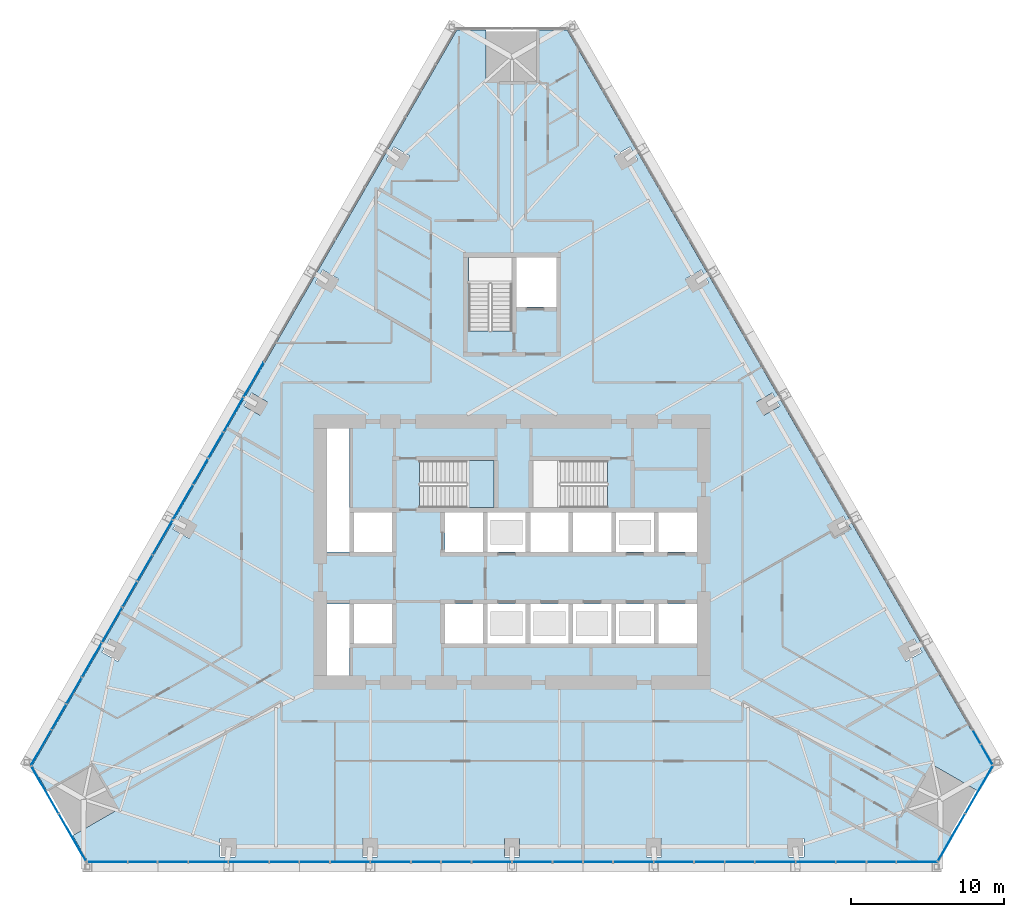
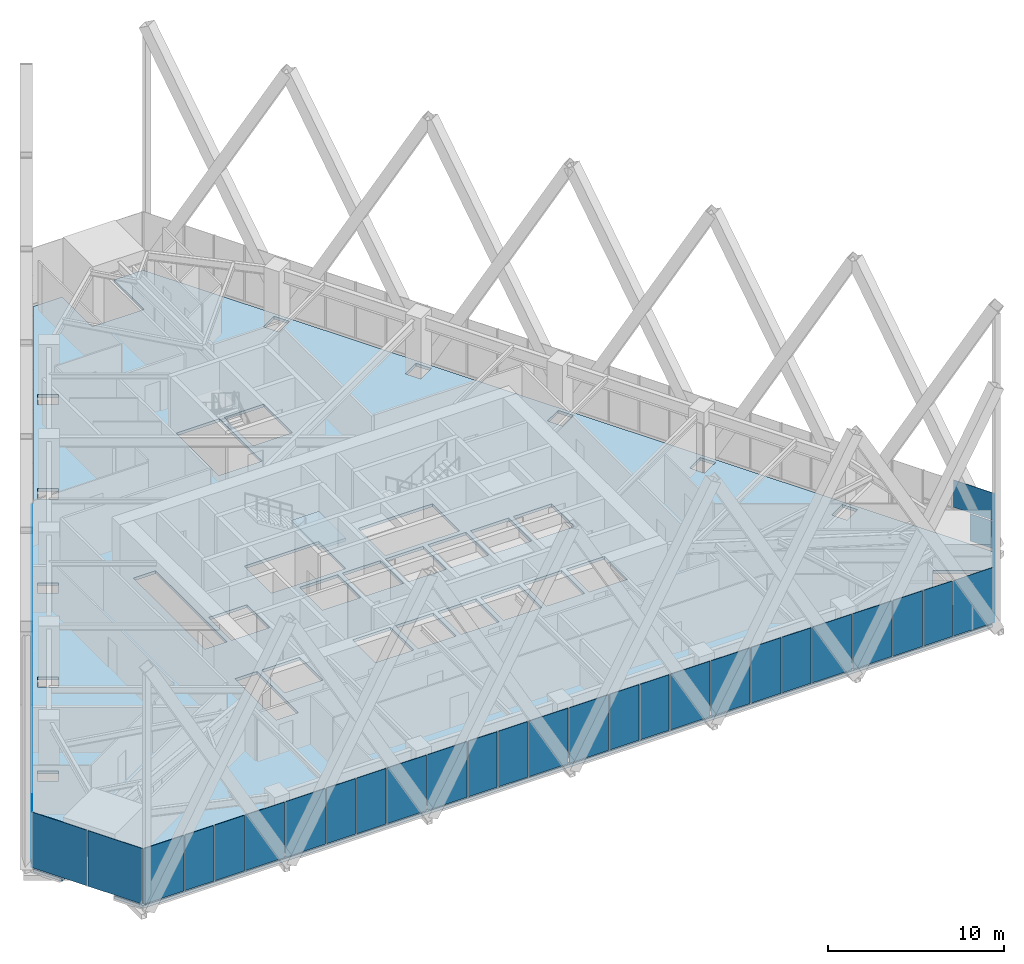
# One storey, part 11 of 19: 43 plates, 2 slabs, 6 elements without a shape of their own.
"""IFC4 building model written with IfcOpenShell, lengths in metres."""

import ifcopenshell
import ifcopenshell.guid

model = None  # the IFC model being written
_history = None  # IfcOwnerHistory: only IFC2X3 demands one
_inside = {}  # id of a spatial element -> (the spatial element, [elements in it])
_under = {}  # id of a project, library or spatial element -> (it, [spatial elements below it])
_declared = {}  # id of a project -> (the project, [libraries it declares])
_typed = {}  # id of a type object -> (the type object, [elements of that type])
_made_of = {}  # id of a material, layer set ... -> (it, [elements and type objects made of it])


def new_model(schema):
    """Start an empty IFC model of exactly this schema.

    Asked for "IFC4X3", IfcOpenShell would pick the latest addendum, in which some entities
    have other attributes; the version numbers below select the first issue.
    IFC2X3 requires an IfcOwnerHistory on every rooted entity: one is made here for all.
    """
    global model, _history
    if schema == "IFC4X3":
        model = ifcopenshell.file(schema_version=(4, 3, 0, 0))
    else:
        model = ifcopenshell.file(schema=schema)
    _inside.clear()
    _under.clear()
    _declared.clear()
    _typed.clear()
    _made_of.clear()
    _history = None
    if model.schema == "IFC2X3":
        org = make("IfcOrganization", Name="unknown")
        user = make(
            "IfcPersonAndOrganization",
            ThePerson=make("IfcPerson", FamilyName="unknown"),
            TheOrganization=org,
        )
        app = make(
            "IfcApplication",
            ApplicationDeveloper=org,
            Version="unknown",
            ApplicationFullName="unknown",
            ApplicationIdentifier="unknown",
        )
        _history = make(
            "IfcOwnerHistory",
            OwningUser=user,
            OwningApplication=app,
            ChangeAction="ADDED",
            CreationDate=0,
        )
    return model


def make(cls, **values):
    """One entity of the class cls with the attributes given. An attribute that is None is left unset."""
    return model.create_entity(
        cls, **{name: value for name, value in values.items() if value is not None}
    )


def rooted(cls, **values):
    """An entity with a GlobalId (a new one), such as an element, a storey or a relation."""
    return make(cls, GlobalId=ifcopenshell.guid.new(), OwnerHistory=_history, **values)


def si_unit(unit_type, name, prefix=None):
    """IfcSIUnit, for example si_unit("LENGTHUNIT", "METRE", prefix="MILLI")."""
    return make("IfcSIUnit", UnitType=unit_type, Prefix=prefix, Name=name)


def assignment(units):
    """IfcUnitAssignment: the units of a project."""
    return None if units is None else make("IfcUnitAssignment", Units=units)


def point(xyz):
    """IfcCartesianPoint."""
    return None if xyz is None else make("IfcCartesianPoint", Coordinates=xyz)


def direction(xyz):
    """IfcDirection."""
    return None if xyz is None else make("IfcDirection", DirectionRatios=xyz)


def frame(location, z_axis=None, x_axis=None):
    """IfcAxis2Placement3D, a coordinate frame: its origin and axes. An axis left out is left unset."""
    return make(
        "IfcAxis2Placement3D",
        Location=point(location),
        Axis=direction(z_axis),
        RefDirection=direction(x_axis),
    )


def origin():
    """The frame at (0, 0, 0) with its axes left unset."""
    return frame((0.0, 0.0, 0.0))


def place(relative_to, where):
    """IfcLocalPlacement: puts the frame where relative to a parent placement (None: the world)."""
    return make(
        "IfcLocalPlacement", PlacementRelTo=relative_to, RelativePlacement=where
    )


def context(
    kind, dimensions, precision=None, world=None, true_north=None, identifier=None
):
    """IfcGeometricRepresentationContext, for example the 3D "Model" context."""
    return make(
        "IfcGeometricRepresentationContext",
        ContextIdentifier=identifier,
        ContextType=kind,
        CoordinateSpaceDimension=dimensions,
        Precision=precision,
        WorldCoordinateSystem=world,
        TrueNorth=true_north,
    )


def subcontext(parent, identifier, kind, view, scale=None):
    """IfcGeometricRepresentationSubContext, for example "Body" below "Model"."""
    return make(
        "IfcGeometricRepresentationSubContext",
        ContextIdentifier=identifier,
        ContextType=kind,
        ParentContext=parent,
        TargetScale=scale,
        TargetView=view,
    )


def project(units=None, contexts=None):
    """IfcProject with its units and contexts."""
    return rooted(
        "IfcProject",
        Name="project",
        RepresentationContexts=contexts,
        UnitsInContext=assignment(units),
    )


def spatial(cls, under=None, at=None, **own):
    """A site, building, storey or space (cls), placed at a placement, below another one or the project."""
    s = rooted(cls, ObjectPlacement=at, **own)
    if under is not None:
        _under.setdefault(under.id(), (under, []))[1].append(s)
    return s


def polyline(points):
    """IfcPolyline through the points."""
    return make("IfcPolyline", Points=[point(p) for p in points])


def outline(outer, holes=None, kind="AREA"):
    """IfcArbitraryClosedProfileDef: a profile drawn as a closed curve; with holes, ...WithVoids."""
    if holes is None:
        return make("IfcArbitraryClosedProfileDef", ProfileType=kind, OuterCurve=outer)
    return make(
        "IfcArbitraryProfileDefWithVoids",
        ProfileType=kind,
        OuterCurve=outer,
        InnerCurves=holes,
    )


def extrude(swept, where, along, depth):
    """IfcExtrudedAreaSolid: the profile swept, set in the frame where, extruded along a direction by depth."""
    return make(
        "IfcExtrudedAreaSolid",
        SweptArea=swept,
        Position=where,
        ExtrudedDirection=direction(along),
        Depth=depth,
    )


def shape(context_of_items, identifier, shape_type, items):
    """IfcShapeRepresentation: the items that make up one representation, for example the "Body"."""
    return make(
        "IfcShapeRepresentation",
        ContextOfItems=context_of_items,
        RepresentationIdentifier=identifier,
        RepresentationType=shape_type,
        Items=items,
    )


def material(Name=None, Category=None):
    """IfcMaterial."""
    return make("IfcMaterial", Name=Name, Category=Category)


def layer(
    of_material, thickness, ventilated=None, Name=None, Category=None, Priority=None
):
    """IfcMaterialLayer: one layer of a wall or slab, of a material (None: an air gap)."""
    return make(
        "IfcMaterialLayer",
        Material=of_material,
        LayerThickness=thickness,
        IsVentilated=ventilated,
        Name=Name,
        Category=Category,
        Priority=Priority,
    )


def layer_set(layers, Name=None):
    """IfcMaterialLayerSet."""
    return make("IfcMaterialLayerSet", MaterialLayers=layers, LayerSetName=Name)


def made_of(thing, what):
    """Note that an element or type object is made of a material, layer set ...; save() writes the relation."""
    if what is not None:
        _made_of.setdefault(what.id(), (what, []))[1].append(thing)
    return thing


def type_object(cls, material=None, **own):
    """A type object (cls), such as IfcWallType, which elements share."""
    return made_of(rooted(cls, **own), material)


def element(
    cls,
    number,
    at=None,
    inside=None,
    cuts=None,
    type_object=None,
    material=None,
    context=None,
    identifier="Body",
    shape_type=None,
    held_by="IfcProductDefinitionShape",
    body=None,
    shapes=None,
    **own,
):
    """One element of the class cls, such as IfcWall. Its Tag is "e" and its number.

    at: its placement. inside: the storey or other place that contains it. cuts: it is an
    opening in that element (IfcRelVoidsElement). A single representation is given by context,
    identifier, shape_type and body (its items); several are given by shapes. held_by: the class
    of the entity that holds the representations. save() writes the other relations.
    """
    e = rooted(cls, Tag="e%d" % number, ObjectPlacement=at, **own)
    if body is not None:
        shapes = [shape(context, identifier, shape_type, body)]
    if shapes is not None:
        e.Representation = make(held_by, Representations=shapes)
    if inside is not None:
        _inside.setdefault(inside.id(), (inside, []))[1].append(e)
    if cuts is not None:
        rooted(
            "IfcRelVoidsElement", RelatingBuildingElement=cuts, RelatedOpeningElement=e
        )
    if type_object is not None:
        _typed.setdefault(type_object.id(), (type_object, []))[1].append(e)
    return made_of(e, material)


def aggregate(whole, parts):
    """IfcRelAggregates: a whole, such as a stair, and the parts it consists of."""
    return rooted("IfcRelAggregates", RelatingObject=whole, RelatedObjects=parts)


def save(model, path):
    """Write the relations noted so far, then the file.

    IfcRelAggregates (storeys below a building ...), IfcRelContainedInSpatialStructure (elements
    in a storey), IfcRelDefinesByType, IfcRelAssociatesMaterial and IfcRelDeclares: one each for
    every whole, place, type object, material and project.
    """
    for whole, parts in _under.values():
        aggregate(whole, parts)
    for where, things in _inside.values():
        rooted(
            "IfcRelContainedInSpatialStructure",
            RelatedElements=things,
            RelatingStructure=where,
        )
    for kind, things in _typed.values():
        rooted("IfcRelDefinesByType", RelatedObjects=things, RelatingType=kind)
    for what, things in _made_of.values():
        rooted("IfcRelAssociatesMaterial", RelatedObjects=things, RelatingMaterial=what)
    for by, libraries in _declared.values():
        rooted("IfcRelDeclares", RelatingContext=by, RelatedDefinitions=libraries)
    model.write(path)


model = new_model("IFC4")

# Units and contexts
model_context = context("Model", 3, precision=1e-05, world=origin(), true_north=direction((0.0, 1.0)))
body_context = subcontext(model_context, "Body", "Model", "MODEL_VIEW")
ifc_project = project(units=[si_unit("LENGTHUNIT", "METRE"), si_unit("AREAUNIT", "SQUARE_METRE"), si_unit("VOLUMEUNIT", "CUBIC_METRE"), si_unit("PLANEANGLEUNIT", "RADIAN"), si_unit("MASSUNIT", "GRAM", prefix="KILO")], contexts=[model_context])

# Site, building, storey
site_placement = place(None, origin())
site = spatial("IfcSite", under=ifc_project, at=site_placement, CompositionType="ELEMENT")
building_placement = place(site_placement, origin())
building = spatial("IfcBuilding", under=site, at=building_placement, Name="Firuza Gate Tower and Library", CompositionType="ELEMENT")
storey_placement = place(building_placement, frame((0.0, 0.0, 124.0)))
storey = spatial("IfcBuildingStorey", under=building, at=storey_placement, Name="L28", CompositionType="ELEMENT", Elevation=124.0)

# Slab
ifc_material_1 = material(Name="Concrete C40/50", Category="concrete")
ifc_layer_1 = layer(ifc_material_1, 0.199951171875)
ifc_layer_set_1 = layer_set([ifc_layer_1], Name="Composite floor slab 200 C40/50")
slab_type_1 = type_object("IfcSlabType", Name="Composite floor slab 200 C40/50", PredefinedType="FLOOR", material=ifc_layer_set_1)
slab_1_placement = place(storey_placement, frame((0.0, 0.0, -0.199951171875)))
element("IfcSlab", 1, at=slab_1_placement, inside=storey, type_object=slab_type_1, Name="Floor slab L28", PredefinedType="FLOOR", context=body_context, shape_type="SweptSolid", body=[
    extrude(outline(polyline([(102.81689453125, 54.782958984375), (103.766845703125, 56.428466796875), (100.833984375, 58.12158203125), (102.5341796875, 61.066162109375), (105.466796875, 59.373046875), (106.416748046875, 61.018310546875), (78.60009765625, 109.198486328125), (76.699951171875, 109.198486328125), (76.699951171875, 105.81201171875), (73.300048828125, 105.81201171875), (73.300048828125, 109.198486328125), (71.39990234375, 109.198486328125), (43.583251953125, 61.018310546875), (44.533203125, 59.373046875), (47.4658203125, 61.066162109375), (49.166015625, 58.12158203125), (46.233154296875, 56.428466796875), (47.18310546875, 54.782958984375), (102.81689453125, 54.782958984375)]), holes=[polyline([(55.889892578125, 55.0263671875), (55.889892578125, 56.226318359375), (56.889892578125, 56.226318359375), (56.889892578125, 55.0263671875), (55.889892578125, 55.0263671875)]), polyline([(65.19482421875, 55.0263671875), (65.19482421875, 56.226318359375), (66.19482421875, 56.226318359375), (66.19482421875, 55.0263671875), (65.19482421875, 55.0263671875)]), polyline([(48.647216796875, 69.302978515625), (49.686279296875, 68.703125), (49.186279296875, 67.8369140625), (48.147216796875, 68.43701171875), (48.647216796875, 69.302978515625)]), polyline([(64.35009765625, 66.89990234375), (62.89990234375, 66.89990234375), (62.89990234375, 71.60009765625), (64.35009765625, 71.60009765625), (64.35009765625, 66.89990234375)]), polyline([(75.89990234375, 69.0), (73.39990234375, 69.0), (73.39990234375, 71.60009765625), (75.89990234375, 71.60009765625), (75.89990234375, 69.0)]), polyline([(73.10009765625, 69.0), (70.60009765625, 69.0), (70.60009765625, 71.60009765625), (73.10009765625, 71.60009765625), (73.10009765625, 69.0)]), polyline([(64.64990234375, 69.0), (64.64990234375, 71.60009765625), (67.14990234375, 71.60009765625), (67.14990234375, 69.0), (64.64990234375, 69.0)]), polyline([(64.64990234375, 75.0), (64.64990234375, 77.60009765625), (67.14990234375, 77.60009765625), (67.14990234375, 75.0), (64.64990234375, 75.0)]), polyline([(75.89990234375, 75.0), (73.39990234375, 75.0), (73.39990234375, 77.60009765625), (75.89990234375, 77.60009765625), (75.89990234375, 75.0)]), polyline([(73.10009765625, 75.0), (70.60009765625, 75.0), (70.60009765625, 77.60009765625), (73.10009765625, 77.60009765625), (73.10009765625, 75.0)]), polyline([(53.2998046875, 77.361572265625), (54.3388671875, 76.761474609375), (53.8388671875, 75.8955078125), (52.7998046875, 76.495361328125), (53.2998046875, 77.361572265625)]), polyline([(62.89990234375, 75.0), (62.89990234375, 83.10009765625), (64.35009765625, 83.10009765625), (64.35009765625, 75.0), (62.89990234375, 75.0)]), polyline([(68.9404296875, 77.89990234375), (68.9404296875, 80.97998046875), (73.81005859375, 80.97998046875), (73.81005859375, 77.89990234375), (68.9404296875, 77.89990234375)]), polyline([(57.9521484375, 85.419921875), (58.991455078125, 84.81982421875), (58.491455078125, 83.953857421875), (57.4521484375, 84.553955078125), (57.9521484375, 85.419921875)]), polyline([(72.159912109375, 89.470458984375), (72.159912109375, 94.300048828125), (75.0, 94.300048828125), (75.0, 89.470458984375), (72.159912109375, 89.470458984375)]), polyline([(62.604736328125, 93.478271484375), (63.64404296875, 92.87841796875), (63.14404296875, 92.01220703125), (62.104736328125, 92.6123046875), (62.604736328125, 93.478271484375)]), polyline([(68.296630859375, 100.936767578125), (67.796630859375, 100.07080078125), (66.75732421875, 100.670654296875), (67.25732421875, 101.53662109375), (68.296630859375, 100.936767578125)]), polyline([(93.110107421875, 55.0263671875), (93.110107421875, 56.226318359375), (94.110107421875, 56.226318359375), (94.110107421875, 55.0263671875), (93.110107421875, 55.0263671875)]), polyline([(74.5, 55.0263671875), (74.5, 56.226318359375), (75.5, 56.226318359375), (75.5, 55.0263671875), (74.5, 55.0263671875)]), polyline([(83.80517578125, 55.0263671875), (83.80517578125, 56.226318359375), (84.80517578125, 56.226318359375), (84.80517578125, 55.0263671875), (83.80517578125, 55.0263671875)]), polyline([(101.852783203125, 68.43701171875), (100.813720703125, 67.8369140625), (100.313720703125, 68.703125), (101.352783203125, 69.302978515625), (101.852783203125, 68.43701171875)]), polyline([(78.699951171875, 69.0), (76.199951171875, 69.0), (76.199951171875, 71.60009765625), (78.699951171875, 71.60009765625), (78.699951171875, 69.0)]), polyline([(81.5, 69.0), (79.0, 69.0), (79.0, 71.60009765625), (81.5, 71.60009765625), (81.5, 69.0)]), polyline([(84.60009765625, 69.0), (84.60009765625, 71.60009765625), (87.10009765625, 71.60009765625), (87.10009765625, 69.0), (84.60009765625, 69.0)]), polyline([(81.800048828125, 69.0), (81.800048828125, 71.60009765625), (84.300048828125, 71.60009765625), (84.300048828125, 69.0), (81.800048828125, 69.0)]), polyline([(84.300048828125, 75.0), (81.800048828125, 75.0), (81.800048828125, 77.60009765625), (84.300048828125, 77.60009765625), (84.300048828125, 75.0)]), polyline([(87.10009765625, 75.0), (84.60009765625, 75.0), (84.60009765625, 77.60009765625), (87.10009765625, 77.60009765625), (87.10009765625, 75.0)]), polyline([(81.5, 75.0), (79.0, 75.0), (79.0, 77.60009765625), (81.5, 77.60009765625), (81.5, 75.0)]), polyline([(76.199951171875, 75.0), (76.199951171875, 77.60009765625), (78.699951171875, 77.60009765625), (78.699951171875, 75.0), (76.199951171875, 75.0)]), polyline([(96.1611328125, 75.8955078125), (95.6611328125, 76.761474609375), (96.7001953125, 77.361572265625), (97.2001953125, 76.495361328125), (96.1611328125, 75.8955078125)]), polyline([(81.259521484375, 77.89990234375), (76.389892578125, 77.89990234375), (76.389892578125, 80.97998046875), (81.259521484375, 80.97998046875), (81.259521484375, 77.89990234375)]), polyline([(92.5478515625, 84.553955078125), (91.508544921875, 83.953857421875), (91.008544921875, 84.81982421875), (92.0478515625, 85.419921875), (92.5478515625, 84.553955078125)]), polyline([(77.89990234375, 91.050048828125), (75.300048828125, 91.050048828125), (75.300048828125, 94.300048828125), (77.89990234375, 94.300048828125), (77.89990234375, 91.050048828125)]), polyline([(86.85595703125, 92.01220703125), (86.35595703125, 92.87841796875), (87.395263671875, 93.478271484375), (87.895263671875, 92.6123046875), (86.85595703125, 92.01220703125)]), polyline([(82.203369140625, 100.07080078125), (81.703369140625, 100.936767578125), (82.74267578125, 101.53662109375), (83.24267578125, 100.670654296875), (82.203369140625, 100.07080078125)])]), origin(), (0.0, 0.0, 1.0), 0.199951171875),
])

# Curtain wall, plates
ifc_material_2 = material(Name="Aluminium 6063-T6", Category="aluminium")
ifc_layer_2 = layer(ifc_material_2, 0.14990234375)
ifc_layer_set_2 = layer_set([ifc_layer_2], Name="Corner curtain wall, chamfers")
curtain_wall_type_1 = type_object("IfcCurtainWallType", Name="Corner curtain wall, chamfers", PredefinedType="NOTDEFINED", material=ifc_layer_set_2)
placement = place(storey_placement, origin())
curtain_wall_1 = element("IfcCurtainWall", 2, at=placement, inside=storey, type_object=curtain_wall_type_1, Name="CW4 L28 SE corner", PredefinedType="NOTDEFINED")
ifc_material_3 = material(Name="Fritted glass", Category="glass")
ifc_layer_3 = layer(ifc_material_3, 0.030029296875)
ifc_layer_set_3 = layer_set([ifc_layer_3], Name="Fritted glass unit, corners")
plate_type_1 = type_object("IfcPlateType", Name="Fritted glass unit, corners", PredefinedType="CURTAIN_PANEL", material=ifc_layer_set_3)
plate_1_placement = place(storey_placement, frame((102.89306640625, 54.735107421875, 0.14990234375), z_axis=(0.866016723041, -0.500015035186, 0.0), x_axis=(0.500015035186, 0.866016723041, 0.0)))
plate_1 = element("IfcPlate", 3, at=plate_1_placement, type_object=plate_type_1, Name="Glass unit", PredefinedType="CURTAIN_PANEL", context=body_context, shape_type="SweptSolid", body=[
    extrude(outline(polyline([(0.0, 0.0), (3.5633694106530625, 0.0), (3.5633694106530625, 3.85009765625), (0.0, 3.85009765625), (0.0, 0.0)])), origin(), (0.0, 0.0, -1.0), 0.030029296875),
])
plate_2_placement = place(storey_placement, frame((104.71484375, 57.890380859375, 0.14990234375), z_axis=(0.866046390552, -0.49996364809, 0.0), x_axis=(0.49996364809, 0.866046390552, 0.0)))
plate_2 = element("IfcPlate", 4, at=plate_2_placement, type_object=plate_type_1, Name="Glass unit", PredefinedType="CURTAIN_PANEL", context=body_context, shape_type="SweptSolid", body=[
    extrude(outline(polyline([(0.0, 0.0), (3.563247342942594, 0.0), (3.563247342942594, 3.85009765625), (0.0, 3.85009765625), (0.0, 0.0)])), origin(), (0.0, 0.0, -1.0), 0.030029296875),
])
aggregate(curtain_wall_1, [plate_1, plate_2])

curtain_wall_2 = element("IfcCurtainWall", 5, at=placement, inside=storey, type_object=curtain_wall_type_1, Name="CW4 L28 SW corner", PredefinedType="NOTDEFINED")
plate_3_placement = place(storey_placement, frame((43.503662109375, 60.976318359375, 0.14990234375), z_axis=(-0.866046390552, -0.49996364809, 0.0), x_axis=(0.49996364809, -0.866046390552, 0.0)))
plate_3 = element("IfcPlate", 6, at=plate_3_placement, type_object=plate_type_1, Name="Glass unit", PredefinedType="CURTAIN_PANEL", context=body_context, shape_type="SweptSolid", body=[
    extrude(outline(polyline([(0.0, 0.0), (3.563247342942594, 0.0), (3.563247342942594, 3.85009765625), (0.0, 3.85009765625), (0.0, 0.0)])), origin(), (0.0, 0.0, -1.0), 0.030029296875),
])
plate_4_placement = place(storey_placement, frame((45.3251953125, 57.821044921875, 0.14990234375), z_axis=(-0.866016723041, -0.500015035186, 0.0), x_axis=(0.500015035186, -0.866016723041, 0.0)))
plate_4 = element("IfcPlate", 7, at=plate_4_placement, type_object=plate_type_1, Name="Glass unit", PredefinedType="CURTAIN_PANEL", context=body_context, shape_type="SweptSolid", body=[
    extrude(outline(polyline([(0.0, 0.0), (3.5633694106530625, 0.0), (3.5633694106530625, 3.85009765625), (0.0, 3.85009765625), (0.0, 0.0)])), origin(), (0.0, 0.0, -1.0), 0.030029296875),
])
aggregate(curtain_wall_2, [plate_3, plate_4])

ifc_material_4 = material(Name="Aluminium 6063-T6", Category="aluminium")
ifc_layer_4 = layer(ifc_material_4, 0.14990234375)
ifc_layer_set_4 = layer_set([ifc_layer_4], Name="Unitised curtain wall, offices")
curtain_wall_type_2 = type_object("IfcCurtainWallType", Name="Unitised curtain wall, offices", PredefinedType="NOTDEFINED", material=ifc_layer_set_4)
curtain_wall_3 = element("IfcCurtainWall", 8, at=placement, inside=storey, type_object=curtain_wall_type_2, Name="CW1 L28 S face", PredefinedType="NOTDEFINED")
ifc_material_5 = material(Name="Fritted glass", Category="glass")
ifc_layer_5 = layer(ifc_material_5, 0.030029296875)
ifc_layer_set_5 = layer_set([ifc_layer_5], Name="Fritted glass unit, offices")
plate_type_2 = type_object("IfcPlateType", Name="Fritted glass unit, offices", PredefinedType="CURTAIN_PANEL", material=ifc_layer_set_5)
plate_5_placement = place(storey_placement, frame((49.87548828125, 54.693115234375, 0.14990234375), z_axis=(0.0, -1.0, 0.0), x_axis=(1.0, 0.0, 0.0)))
plate_5 = element("IfcPlate", 9, at=plate_5_placement, type_object=plate_type_2, Name="Glass unit", PredefinedType="CURTAIN_PANEL", context=body_context, shape_type="SweptSolid", body=[
    extrude(outline(polyline([(0.0, 0.0), (1.86767578125, 0.0), (1.86767578125, 3.85009765625), (0.0, 3.85009765625), (0.0, 0.0)])), origin(), (0.0, 0.0, -1.0), 0.030029296875),
])
plate_6_placement = place(storey_placement, frame((51.8232421875, 54.693115234375, 0.14990234375), z_axis=(0.0, -1.0, 0.0), x_axis=(1.0, 0.0, 0.0)))
plate_6 = element("IfcPlate", 10, at=plate_6_placement, type_object=plate_type_2, Name="Glass unit", PredefinedType="CURTAIN_PANEL", context=body_context, shape_type="SweptSolid", body=[
    extrude(outline(polyline([(0.0, 0.0), (1.939697265625, 0.0), (1.939697265625, 3.85009765625), (0.0, 3.85009765625), (0.0, 0.0)])), origin(), (0.0, 0.0, -1.0), 0.030029296875),
])
plate_7_placement = place(storey_placement, frame((59.14794921875, 54.693115234375, 0.14990234375), z_axis=(0.0, -1.0, 0.0), x_axis=(1.0, 0.0, 0.0)))
plate_7 = element("IfcPlate", 11, at=plate_7_placement, type_object=plate_type_2, Name="Glass unit", PredefinedType="CURTAIN_PANEL", context=body_context, shape_type="SweptSolid", body=[
    extrude(outline(polyline([(0.0, 0.0), (1.882080078125, 0.0), (1.882080078125, 3.85009765625), (0.0, 3.85009765625), (0.0, 0.0)])), origin(), (0.0, 0.0, -1.0), 0.030029296875),
])
plate_8_placement = place(storey_placement, frame((61.10986328125, 54.693115234375, 0.14990234375), z_axis=(0.0, -1.0, 0.0), x_axis=(1.0, 0.0, 0.0)))
plate_8 = element("IfcPlate", 12, at=plate_8_placement, type_object=plate_type_2, Name="Glass unit", PredefinedType="CURTAIN_PANEL", context=body_context, shape_type="SweptSolid", body=[
    extrude(outline(polyline([(0.0, 0.0), (1.92529296875, 0.0), (1.92529296875, 3.85009765625), (0.0, 3.85009765625), (0.0, 0.0)])), origin(), (0.0, 0.0, -1.0), 0.030029296875),
])
plate_9_placement = place(storey_placement, frame((68.420166015625, 54.693115234375, 0.14990234375), z_axis=(0.0, -1.0, 0.0), x_axis=(1.0, 0.0, 0.0)))
plate_9 = element("IfcPlate", 13, at=plate_9_placement, type_object=plate_type_2, Name="Glass unit", PredefinedType="CURTAIN_PANEL", context=body_context, shape_type="SweptSolid", body=[
    extrude(outline(polyline([(0.0, 0.0), (1.896484375, 0.0), (1.896484375, 3.85009765625), (0.0, 3.85009765625), (0.0, 0.0)])), origin(), (0.0, 0.0, -1.0), 0.030029296875),
])
plate_10_placement = place(storey_placement, frame((70.396728515625, 54.693115234375, 0.14990234375), z_axis=(0.0, -1.0, 0.0), x_axis=(1.0, 0.0, 0.0)))
plate_10 = element("IfcPlate", 14, at=plate_10_placement, type_object=plate_type_2, Name="Glass unit", PredefinedType="CURTAIN_PANEL", context=body_context, shape_type="SweptSolid", body=[
    extrude(outline(polyline([(0.0, 0.0), (1.910888671875, 0.0), (1.910888671875, 3.85009765625), (0.0, 3.85009765625), (0.0, 0.0)])), origin(), (0.0, 0.0, -1.0), 0.030029296875),
])
plate_11_placement = place(storey_placement, frame((77.6923828125, 54.693115234375, 0.14990234375), z_axis=(0.0, -1.0, 0.0), x_axis=(1.0, 0.0, 0.0)))
plate_11 = element("IfcPlate", 15, at=plate_11_placement, type_object=plate_type_2, Name="Glass unit", PredefinedType="CURTAIN_PANEL", context=body_context, shape_type="SweptSolid", body=[
    extrude(outline(polyline([(0.0, 0.0), (1.910888671875, 0.0), (1.910888671875, 3.85009765625), (0.0, 3.85009765625), (0.0, 0.0)])), origin(), (0.0, 0.0, -1.0), 0.030029296875),
])
plate_12_placement = place(storey_placement, frame((79.683349609375, 54.693115234375, 0.14990234375), z_axis=(0.0, -1.0, 0.0), x_axis=(1.0, 0.0, 0.0)))
plate_12 = element("IfcPlate", 16, at=plate_12_placement, type_object=plate_type_2, Name="Glass unit", PredefinedType="CURTAIN_PANEL", context=body_context, shape_type="SweptSolid", body=[
    extrude(outline(polyline([(0.0, 0.0), (1.896484375, 0.0), (1.896484375, 3.85009765625), (0.0, 3.85009765625), (0.0, 0.0)])), origin(), (0.0, 0.0, -1.0), 0.030029296875),
])
plate_13_placement = place(storey_placement, frame((86.96484375, 54.693115234375, 0.14990234375), z_axis=(0.0, -1.0, 0.0), x_axis=(1.0, 0.0, 0.0)))
plate_13 = element("IfcPlate", 17, at=plate_13_placement, type_object=plate_type_2, Name="Glass unit", PredefinedType="CURTAIN_PANEL", context=body_context, shape_type="SweptSolid", body=[
    extrude(outline(polyline([(0.0, 0.0), (1.92529296875, 0.0), (1.92529296875, 3.85009765625), (0.0, 3.85009765625), (0.0, 0.0)])), origin(), (0.0, 0.0, -1.0), 0.030029296875),
])
plate_14_placement = place(storey_placement, frame((88.969970703125, 54.693115234375, 0.14990234375), z_axis=(0.0, -1.0, 0.0), x_axis=(1.0, 0.0, 0.0)))
plate_14 = element("IfcPlate", 18, at=plate_14_placement, type_object=plate_type_2, Name="Glass unit", PredefinedType="CURTAIN_PANEL", context=body_context, shape_type="SweptSolid", body=[
    extrude(outline(polyline([(0.0, 0.0), (1.882080078125, 0.0), (1.882080078125, 3.85009765625), (0.0, 3.85009765625), (0.0, 0.0)])), origin(), (0.0, 0.0, -1.0), 0.030029296875),
])
plate_15_placement = place(storey_placement, frame((96.237060546875, 54.693115234375, 0.14990234375), z_axis=(0.0, -1.0, 0.0), x_axis=(1.0, 0.0, 0.0)))
plate_15 = element("IfcPlate", 19, at=plate_15_placement, type_object=plate_type_2, Name="Glass unit", PredefinedType="CURTAIN_PANEL", context=body_context, shape_type="SweptSolid", body=[
    extrude(outline(polyline([(0.0, 0.0), (1.939697265625, 0.0), (1.939697265625, 3.85009765625), (0.0, 3.85009765625), (0.0, 0.0)])), origin(), (0.0, 0.0, -1.0), 0.030029296875),
])
plate_16_placement = place(storey_placement, frame((98.2568359375, 54.693115234375, 0.14990234375), z_axis=(0.0, -1.0, 0.0), x_axis=(1.0, 0.0, 0.0)))
plate_16 = element("IfcPlate", 20, at=plate_16_placement, type_object=plate_type_2, Name="Glass unit", PredefinedType="CURTAIN_PANEL", context=body_context, shape_type="SweptSolid", body=[
    extrude(outline(polyline([(0.0, 0.0), (1.86767578125, 0.0), (1.86767578125, 3.85009765625), (0.0, 3.85009765625), (0.0, 0.0)])), origin(), (0.0, 0.0, -1.0), 0.030029296875),
])

curtain_wall_4 = element("IfcCurtainWall", 21, at=placement, inside=storey, type_object=curtain_wall_type_2, Name="CW1 L28 W face", PredefinedType="NOTDEFINED")
plate_17_placement = place(storey_placement, frame((56.0673828125, 82.82177734375, 0.14990234375), z_axis=(-0.866072836187, 0.499917835669, 0.0), x_axis=(-0.499917835669, -0.866072836187, 0.0)))
plate_17 = element("IfcPlate", 22, at=plate_17_placement, type_object=plate_type_2, Name="Glass unit", PredefinedType="CURTAIN_PANEL", context=body_context, shape_type="SweptSolid", body=[
    extrude(outline(polyline([(0.0, 0.0), (1.9109585565138352, 0.0), (1.9109585565138352, 3.85009765625), (0.0, 3.85009765625), (0.0, 0.0)])), origin(), (0.0, 0.0, -1.0), 0.030029296875),
])
plate_18_placement = place(storey_placement, frame((55.072021484375, 81.09765625, 0.14990234375), z_axis=(-0.866048401274, 0.499960165064, 0.0), x_axis=(-0.499960165064, -0.866048401274, 0.0)))
plate_18 = element("IfcPlate", 23, at=plate_18_placement, type_object=plate_type_2, Name="Glass unit", PredefinedType="CURTAIN_PANEL", context=body_context, shape_type="SweptSolid", body=[
    extrude(outline(polyline([(0.0, 0.0), (1.8966354797069733, 0.0), (1.8966354797069733, 3.850097656250001), (0.0, 3.850097656250001), (0.0, 0.0)])), origin(), (0.0, 0.0, -1.0), 0.030029296875),
])
plate_19_placement = place(storey_placement, frame((51.43115234375, 74.791748046875, 0.14990234375), z_axis=(-0.866042003473, 0.499971247393, 0.0), x_axis=(-0.499971247393, -0.866042003473, 0.0)))
plate_19 = element("IfcPlate", 24, at=plate_19_placement, type_object=plate_type_2, Name="Glass unit", PredefinedType="CURTAIN_PANEL", context=body_context, shape_type="SweptSolid", body=[
    extrude(outline(polyline([(0.0, 0.0), (1.9254036895005338, 0.0), (1.9254036895005338, 3.850097656250001), (0.0, 3.850097656250001), (0.0, 0.0)])), origin(), (0.0, 0.0, -1.0), 0.030029296875),
])
plate_20_placement = place(storey_placement, frame((50.4287109375, 73.054931640625, 0.14990234375), z_axis=(-0.865991160884, 0.500059305753, 0.0), x_axis=(-0.500059305753, -0.865991160884, 0.0)))
plate_20 = element("IfcPlate", 25, at=plate_20_placement, type_object=plate_type_2, Name="Glass unit", PredefinedType="CURTAIN_PANEL", context=body_context, shape_type="SweptSolid", body=[
    extrude(outline(polyline([(0.0, 0.0), (1.882100979917419, 0.0), (1.882100979917419, 3.85009765625), (0.0, 3.85009765625), (0.0, 0.0)])), origin(), (0.0, 0.0, -1.0), 0.030029296875),
])
plate_21_placement = place(storey_placement, frame((46.795166015625, 66.76171875, 0.14990234375), z_axis=(-0.866011626733, 0.500023861795, 0.0), x_axis=(-0.500023861795, -0.866011626733, 0.0)))
plate_21 = element("IfcPlate", 26, at=plate_21_placement, type_object=plate_type_2, Name="Glass unit", PredefinedType="CURTAIN_PANEL", context=body_context, shape_type="SweptSolid", body=[
    extrude(outline(polyline([(0.0, 0.0), (1.9398488297013792, 0.0), (1.9398488297013792, 3.85009765625), (0.0, 3.85009765625), (0.0, 0.0)])), origin(), (0.0, 0.0, -1.0), 0.030029296875),
])
plate_22_placement = place(storey_placement, frame((45.78515625, 65.012451171875, 0.14990234375), z_axis=(-0.866022320763, 0.500005339912, 0.0), x_axis=(-0.500005339912, -0.866022320763, 0.0)))
plate_22 = element("IfcPlate", 27, at=plate_22_placement, type_object=plate_type_2, Name="Glass unit", PredefinedType="CURTAIN_PANEL", context=body_context, shape_type="SweptSolid", body=[
    extrude(outline(polyline([(0.0, 0.0), (1.8676558350139967, 0.0), (1.8676558350139967, 3.85009765625), (0.0, 3.85009765625), (0.0, 0.0)])), origin(), (0.0, 0.0, -1.0), 0.030029296875),
])

# Plate
ifc_material_6 = material(Name="Glazed ceramic tile")
ifc_layer_6 = layer(ifc_material_6, 0.030029296875)
ifc_layer_set_6 = layer_set([ifc_layer_6], Name="Opaque ceramic panel, offices")
plate_type_3 = type_object("IfcPlateType", Name="Opaque ceramic panel, offices", PredefinedType="CURTAIN_PANEL", material=ifc_layer_set_6)
plate_23_placement = place(storey_placement, frame((47.179931640625, 54.693115234375, 0.14990234375), z_axis=(0.0, -1.0, 0.0), x_axis=(1.0, 0.0, 0.0)))
plate_23 = element("IfcPlate", 28, at=plate_23_placement, type_object=plate_type_3, Name="Opaque ceramic panel", PredefinedType="CURTAIN_PANEL", context=body_context, shape_type="SweptSolid", body=[
    extrude(outline(polyline([(0.0, 0.0), (2.61572265625, 0.0), (2.61572265625, 3.85009765625), (0.0, 3.85009765625), (0.0, 0.0)])), origin(), (0.0, 0.0, -1.0), 0.030029296875),
])

plate_24_placement = place(storey_placement, frame((53.843017578125, 54.693115234375, 0.14990234375), z_axis=(0.0, -1.0, 0.0), x_axis=(1.0, 0.0, 0.0)))
plate_24 = element("IfcPlate", 29, at=plate_24_placement, type_object=plate_type_3, Name="Opaque ceramic panel", PredefinedType="CURTAIN_PANEL", context=body_context, shape_type="SweptSolid", body=[
    extrude(outline(polyline([(0.0, 0.0), (2.54345703125, 0.0), (2.54345703125, 3.85009765625), (0.0, 3.85009765625), (0.0, 0.0)])), origin(), (0.0, 0.0, -1.0), 0.030029296875),
])

plate_25_placement = place(storey_placement, frame((56.466552734375, 54.693115234375, 0.14990234375), z_axis=(0.0, -1.0, 0.0), x_axis=(1.0, 0.0, 0.0)))
plate_25 = element("IfcPlate", 30, at=plate_25_placement, type_object=plate_type_3, Name="Opaque ceramic panel", PredefinedType="CURTAIN_PANEL", context=body_context, shape_type="SweptSolid", body=[
    extrude(outline(polyline([(0.0, 0.0), (2.601318359375, 0.0), (2.601318359375, 3.85009765625), (0.0, 3.85009765625), (0.0, 0.0)])), origin(), (0.0, 0.0, -1.0), 0.030029296875),
])

plate_26_placement = place(storey_placement, frame((63.115234375, 54.693115234375, 0.14990234375), z_axis=(0.0, -1.0, 0.0), x_axis=(1.0, 0.0, 0.0)))
plate_26 = element("IfcPlate", 31, at=plate_26_placement, type_object=plate_type_3, Name="Opaque ceramic panel", PredefinedType="CURTAIN_PANEL", context=body_context, shape_type="SweptSolid", body=[
    extrude(outline(polyline([(0.0, 0.0), (2.55810546875, 0.0), (2.55810546875, 3.85009765625), (0.0, 3.85009765625), (0.0, 0.0)])), origin(), (0.0, 0.0, -1.0), 0.030029296875),
])

plate_27_placement = place(storey_placement, frame((65.753173828125, 54.693115234375, 0.14990234375), z_axis=(0.0, -1.0, 0.0), x_axis=(1.0, 0.0, 0.0)))
plate_27 = element("IfcPlate", 32, at=plate_27_placement, type_object=plate_type_3, Name="Opaque ceramic panel", PredefinedType="CURTAIN_PANEL", context=body_context, shape_type="SweptSolid", body=[
    extrude(outline(polyline([(0.0, 0.0), (2.5869140625, 0.0), (2.5869140625, 3.85009765625), (0.0, 3.85009765625), (0.0, 0.0)])), origin(), (0.0, 0.0, -1.0), 0.030029296875),
])

plate_28_placement = place(storey_placement, frame((72.387451171875, 54.693115234375, 0.14990234375), z_axis=(0.0, -1.0, 0.0), x_axis=(1.0, 0.0, 0.0)))
plate_28 = element("IfcPlate", 33, at=plate_28_placement, type_object=plate_type_3, Name="Opaque ceramic panel", PredefinedType="CURTAIN_PANEL", context=body_context, shape_type="SweptSolid", body=[
    extrude(outline(polyline([(0.0, 0.0), (2.572509765625, 0.0), (2.572509765625, 3.85009765625), (0.0, 3.85009765625), (0.0, 0.0)])), origin(), (0.0, 0.0, -1.0), 0.030029296875),
])

plate_29_placement = place(storey_placement, frame((75.0400390625, 54.693115234375, 0.14990234375), z_axis=(0.0, -1.0, 0.0), x_axis=(1.0, 0.0, 0.0)))
plate_29 = element("IfcPlate", 34, at=plate_29_placement, type_object=plate_type_3, Name="Opaque ceramic panel", PredefinedType="CURTAIN_PANEL", context=body_context, shape_type="SweptSolid", body=[
    extrude(outline(polyline([(0.0, 0.0), (2.572509765625, 0.0), (2.572509765625, 3.85009765625), (0.0, 3.85009765625), (0.0, 0.0)])), origin(), (0.0, 0.0, -1.0), 0.030029296875),
])

plate_30_placement = place(storey_placement, frame((81.659912109375, 54.693115234375, 0.14990234375), z_axis=(0.0, -1.0, 0.0), x_axis=(1.0, 0.0, 0.0)))
plate_30 = element("IfcPlate", 35, at=plate_30_placement, type_object=plate_type_3, Name="Opaque ceramic panel", PredefinedType="CURTAIN_PANEL", context=body_context, shape_type="SweptSolid", body=[
    extrude(outline(polyline([(0.0, 0.0), (2.5869140625, 0.0), (2.5869140625, 3.85009765625), (0.0, 3.85009765625), (0.0, 0.0)])), origin(), (0.0, 0.0, -1.0), 0.030029296875),
])

plate_31_placement = place(storey_placement, frame((84.32666015625, 54.693115234375, 0.14990234375), z_axis=(0.0, -1.0, 0.0), x_axis=(1.0, 0.0, 0.0)))
plate_31 = element("IfcPlate", 36, at=plate_31_placement, type_object=plate_type_3, Name="Opaque ceramic panel", PredefinedType="CURTAIN_PANEL", context=body_context, shape_type="SweptSolid", body=[
    extrude(outline(polyline([(0.0, 0.0), (2.55810546875, 0.0), (2.55810546875, 3.85009765625), (0.0, 3.85009765625), (0.0, 0.0)])), origin(), (0.0, 0.0, -1.0), 0.030029296875),
])

plate_32_placement = place(storey_placement, frame((90.93212890625, 54.693115234375, 0.14990234375), z_axis=(0.0, -1.0, 0.0), x_axis=(1.0, 0.0, 0.0)))
plate_32 = element("IfcPlate", 37, at=plate_32_placement, type_object=plate_type_3, Name="Opaque ceramic panel", PredefinedType="CURTAIN_PANEL", context=body_context, shape_type="SweptSolid", body=[
    extrude(outline(polyline([(0.0, 0.0), (2.601318359375, 0.0), (2.601318359375, 3.85009765625), (0.0, 3.85009765625), (0.0, 0.0)])), origin(), (0.0, 0.0, -1.0), 0.030029296875),
])

plate_33_placement = place(storey_placement, frame((93.613525390625, 54.693115234375, 0.14990234375), z_axis=(0.0, -1.0, 0.0), x_axis=(1.0, 0.0, 0.0)))
plate_33 = element("IfcPlate", 38, at=plate_33_placement, type_object=plate_type_3, Name="Opaque ceramic panel", PredefinedType="CURTAIN_PANEL", context=body_context, shape_type="SweptSolid", body=[
    extrude(outline(polyline([(0.0, 0.0), (2.54345703125, 0.0), (2.54345703125, 3.85009765625), (0.0, 3.85009765625), (0.0, 0.0)])), origin(), (0.0, 0.0, -1.0), 0.030029296875),
])

plate_34_placement = place(storey_placement, frame((100.204345703125, 54.693115234375, 0.14990234375), z_axis=(0.0, -1.0, 0.0), x_axis=(1.0, 0.0, 0.0)))
plate_34 = element("IfcPlate", 39, at=plate_34_placement, type_object=plate_type_3, Name="Opaque ceramic panel", PredefinedType="CURTAIN_PANEL", context=body_context, shape_type="SweptSolid", body=[
    extrude(outline(polyline([(0.0, 0.0), (2.61572265625, 0.0), (2.61572265625, 3.85009765625), (0.0, 3.85009765625), (0.0, 0.0)])), origin(), (0.0, 0.0, -1.0), 0.030029296875),
])

aggregate(curtain_wall_3, [plate_23, plate_5, plate_6, plate_24, plate_25, plate_7, plate_8, plate_26, plate_27, plate_9, plate_10, plate_28, plate_29, plate_11, plate_12, plate_30, plate_31, plate_13, plate_14, plate_32, plate_33, plate_15, plate_16, plate_34])

# Curtain wall, plates
curtain_wall_5 = element("IfcCurtainWall", 40, at=placement, inside=storey, type_object=curtain_wall_type_2, Name="CW1 L28 E face", PredefinedType="NOTDEFINED")
plate_35_placement = place(storey_placement, frame((106.496337890625, 61.060546875, 0.14990234375), z_axis=(0.866036909293, 0.499980071345, 0.0), x_axis=(-0.499980071345, 0.866036909293, 0.0)))
plate_35 = element("IfcPlate", 41, at=plate_35_placement, type_object=plate_type_3, Name="Opaque ceramic panel", PredefinedType="CURTAIN_PANEL", context=body_context, shape_type="SweptSolid", body=[
    extrude(outline(polyline([(0.0, 0.0), (1.5313110339398772, 0.0), (1.5313110339398772, 1.885009765625), (0.0, 1.885009765625), (0.0, 0.0)])), origin(), (0.0, 0.0, -1.0), 0.030029296875),
])
plate_36_placement = place(storey_placement, frame((106.496337890625, 61.060546875, 2.114990234375), z_axis=(0.866034826131, 0.499983679662, 0.0), x_axis=(-0.499983679662, 0.866034826131, 0.0)))
plate_36 = element("IfcPlate", 42, at=plate_36_placement, type_object=plate_type_3, Name="Opaque ceramic panel", PredefinedType="CURTAIN_PANEL", context=body_context, shape_type="SweptSolid", body=[
    extrude(outline(polyline([(0.0, 0.0), (2.615808037992754, 0.0), (2.615808037992754, 1.885009765625), (0.0, 1.885009765625), (0.0, 0.0)])), origin(), (0.0, 0.0, -1.0), 0.030029296875),
])
aggregate(curtain_wall_5, [plate_35, plate_36])

# Plate
plate_37_placement = place(storey_placement, frame((58.719970703125, 87.416015625, 0.14990234375), z_axis=(-0.865997507706, 0.500048314313, 0.0), x_axis=(-0.500048314313, -0.865997507706, 0.0)))
plate_37 = element("IfcPlate", 43, at=plate_37_placement, type_object=plate_type_3, Name="Opaque ceramic panel", PredefinedType="CURTAIN_PANEL", context=body_context, shape_type="SweptSolid", body=[
    extrude(outline(polyline([(0.0, 0.0), (2.572505328596433, 0.0), (2.572505328596433, 3.85009765625), (0.0, 3.85009765625), (0.0, 0.0)])), origin(), (0.0, 0.0, -1.0), 0.030029296875),
])

plate_38_placement = place(storey_placement, frame((57.3935546875, 85.118896484375, 0.14990234375), z_axis=(-0.866038603945, 0.499977135954, 0.0), x_axis=(-0.499977135954, -0.866038603945, 0.0)))
plate_38 = element("IfcPlate", 44, at=plate_38_placement, type_object=plate_type_3, Name="Opaque ceramic panel", PredefinedType="CURTAIN_PANEL", context=body_context, shape_type="SweptSolid", body=[
    extrude(outline(polyline([(0.0, 0.0), (2.572383255177005, 0.0), (2.572383255177005, 3.850097656250001), (0.0, 3.850097656250001), (0.0, 0.0)])), origin(), (0.0, 0.0, -1.0), 0.030029296875),
])

plate_39_placement = place(storey_placement, frame((54.083740234375, 79.385986328125, 0.14990234375), z_axis=(-0.866039436866, 0.499975693202, 0.0), x_axis=(-0.499975693202, -0.866039436866, 0.0)))
plate_39 = element("IfcPlate", 45, at=plate_39_placement, type_object=plate_type_3, Name="Opaque ceramic panel", PredefinedType="CURTAIN_PANEL", context=body_context, shape_type="SweptSolid", body=[
    extrude(outline(polyline([(0.0, 0.0), (2.587039827808468, 0.0), (2.587039827808468, 3.85009765625), (0.0, 3.85009765625), (0.0, 0.0)])), origin(), (0.0, 0.0, -1.0), 0.030029296875),
])

plate_40_placement = place(storey_placement, frame((52.750244140625, 77.076416015625, 0.14990234375), z_axis=(-0.866020293397, 0.500008851346, 0.0), x_axis=(-0.500008851346, -0.866020293397, 0.0)))
plate_40 = element("IfcPlate", 46, at=plate_40_placement, type_object=plate_type_3, Name="Opaque ceramic panel", PredefinedType="CURTAIN_PANEL", context=body_context, shape_type="SweptSolid", body=[
    extrude(outline(polyline([(0.0, 0.0), (2.5580601842009925, 0.0), (2.5580601842009925, 3.85009765625), (0.0, 3.85009765625), (0.0, 0.0)])), origin(), (0.0, 0.0, -1.0), 0.030029296875),
])

plate_41_placement = place(storey_placement, frame((49.447509765625, 71.35595703125, 0.14990234375), z_axis=(-0.866057436843, 0.499944513011, 0.0), x_axis=(-0.499944513011, -0.866057436843, 0.0)))
plate_41 = element("IfcPlate", 47, at=plate_41_placement, type_object=plate_type_3, Name="Opaque ceramic panel", PredefinedType="CURTAIN_PANEL", context=body_context, shape_type="SweptSolid", body=[
    extrude(outline(polyline([(0.0, 0.0), (2.6013629023418336, 0.0), (2.6013629023418336, 3.85009765625), (0.0, 3.85009765625), (0.0, 0.0)])), origin(), (0.0, 0.0, -1.0), 0.030029296875),
])

plate_42_placement = place(storey_placement, frame((48.10693359375, 69.03369140625, 0.14990234375), z_axis=(-0.86601934061, 0.500010501578, 0.0), x_axis=(-0.500010501578, -0.86601934061, 0.0)))
plate_42 = element("IfcPlate", 48, at=plate_42_placement, type_object=plate_type_3, Name="Opaque ceramic panel", PredefinedType="CURTAIN_PANEL", context=body_context, shape_type="SweptSolid", body=[
    extrude(outline(polyline([(0.0, 0.0), (2.5434036117453975, 0.0), (2.5434036117453975, 3.85009765625), (0.0, 3.85009765625), (0.0, 0.0)])), origin(), (0.0, 0.0, -1.0), 0.030029296875),
])

plate_43_placement = place(storey_placement, frame((44.8115234375, 63.325927734375, 0.14990234375), z_axis=(-0.866034826131, 0.499983679662, 0.0), x_axis=(-0.499983679662, -0.866034826131, 0.0)))
plate_43 = element("IfcPlate", 49, at=plate_43_placement, type_object=plate_type_3, Name="Opaque ceramic panel", PredefinedType="CURTAIN_PANEL", context=body_context, shape_type="SweptSolid", body=[
    extrude(outline(polyline([(0.0, 0.0), (2.615808037992754, 0.0), (2.615808037992754, 3.85009765625), (0.0, 3.85009765625), (0.0, 0.0)])), origin(), (0.0, 0.0, -1.0), 0.030029296875),
])

aggregate(curtain_wall_4, [plate_37, plate_38, plate_17, plate_18, plate_39, plate_40, plate_19, plate_20, plate_41, plate_42, plate_21, plate_22, plate_43])

# Stair, slab
ifc_material_7 = material(Name="Concrete C35/45", Category="concrete")
stair_type = type_object("IfcStairType", Name="Exit stair ST5", PredefinedType="HALF_TURN_STAIR", material=ifc_material_7)
stair = element("IfcStair", 50, at=placement, inside=storey, type_object=stair_type, Name="L28 Stair ST1", PredefinedType="HALF_TURN_STAIR")
ifc_material_8 = material(Name="Concrete C35/45", Category="concrete")
ifc_layer_7 = layer(ifc_material_8, 0.199951171875)
ifc_layer_set_7 = layer_set([ifc_layer_7], Name="Stair landing 200")
slab_type_2 = type_object("IfcSlabType", Name="Stair landing 200", PredefinedType="LANDING", material=ifc_layer_set_7)
slab_2_placement = place(storey_placement, frame((0.0, 0.0, 1.89990234375)))
slab_2 = element("IfcSlab", 51, at=slab_2_placement, type_object=slab_type_2, Name="ST1 landing 1", PredefinedType="LANDING", context=body_context, shape_type="SweptSolid", body=[
    extrude(outline(polyline([(72.02001953125, 77.89990234375), (73.81005859375, 77.89990234375), (73.81005859375, 80.97998046875), (72.02001953125, 80.97998046875), (72.02001953125, 77.89990234375)])), origin(), (0.0, 0.0, 1.0), 0.2001953125),
])
aggregate(stair, [slab_2])

save(model, "model.ifc")
